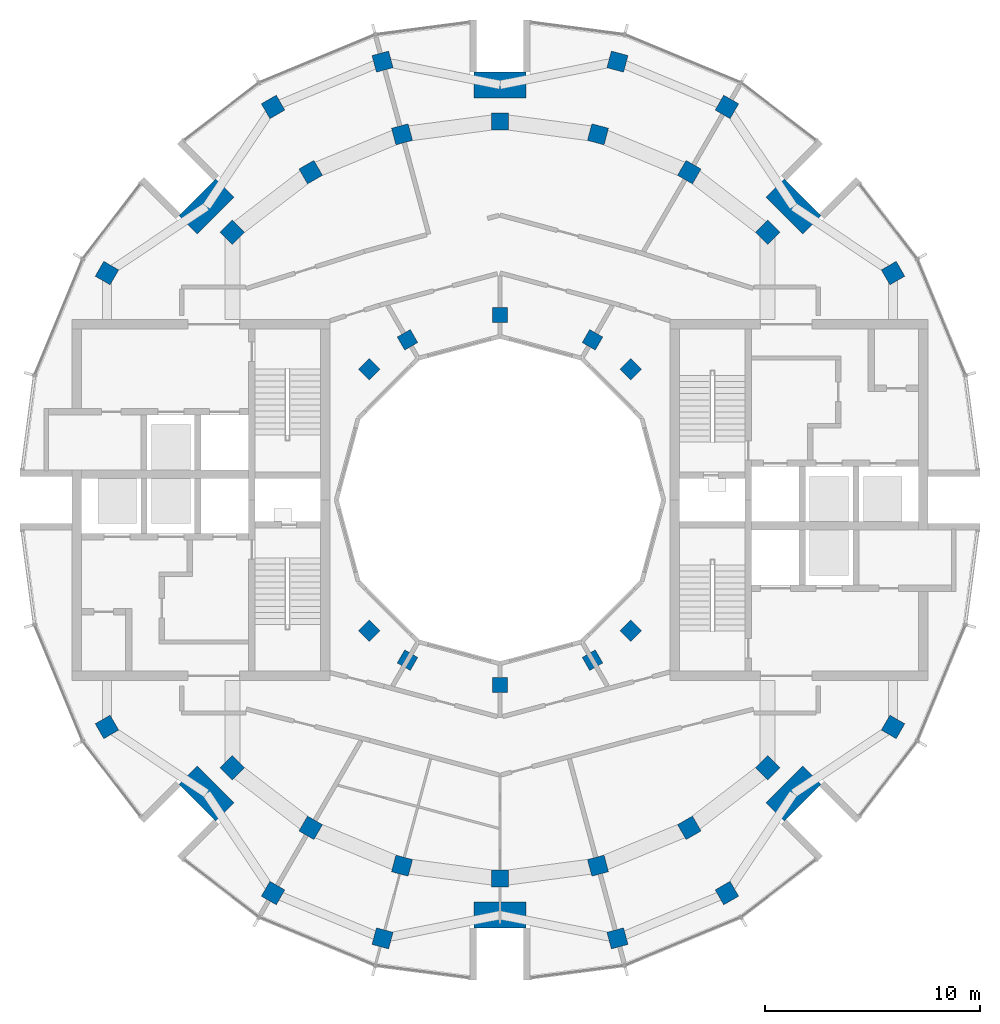
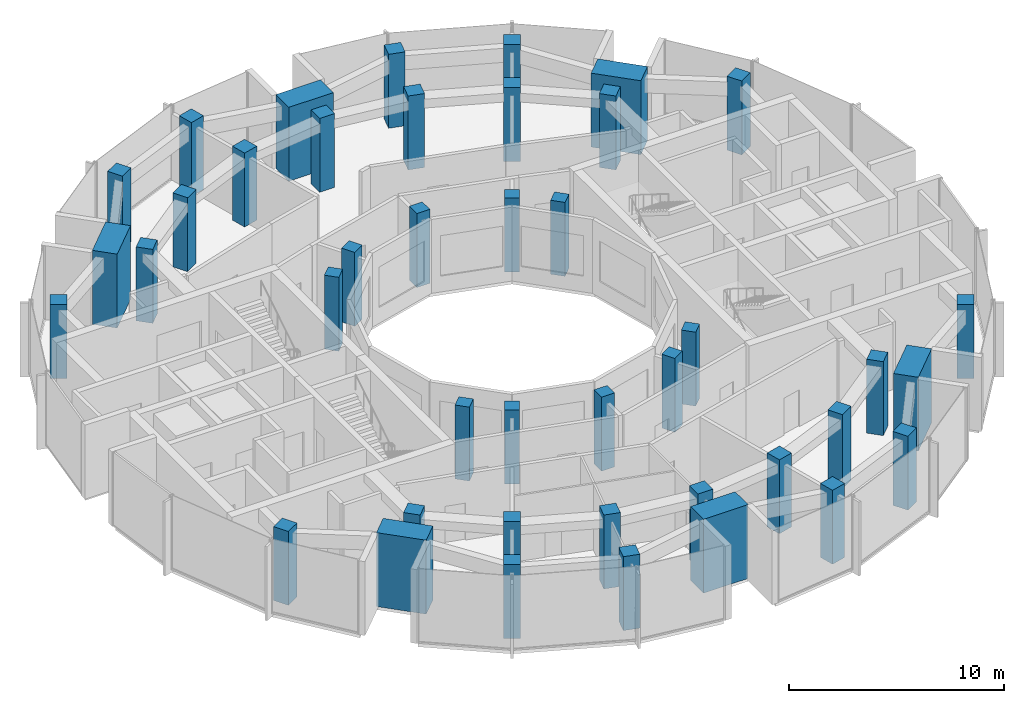
# One storey, part 1 of 13: 42 columns.
"""IFC4 building model written with IfcOpenShell, lengths in metres."""

from ifc_helpers import new_model, si_unit, direction, frame, origin, origin_2d, place, context, subcontext, project, spatial, rectangle, extrude, material, material_profile, profile_set, type_object, element, save


model = new_model("IFC4")

# Units and contexts
model_context = context("Model", 3, precision=1e-05, world=origin(), true_north=direction((0.0, 1.0)))
body_context = subcontext(model_context, "Body", "Model", "MODEL_VIEW")
ifc_project = project(units=[si_unit("LENGTHUNIT", "METRE"), si_unit("AREAUNIT", "SQUARE_METRE"), si_unit("VOLUMEUNIT", "CUBIC_METRE"), si_unit("PLANEANGLEUNIT", "RADIAN"), si_unit("MASSUNIT", "GRAM", prefix="KILO")], contexts=[model_context])

# Site, building, storey
site_placement = place(None, origin())
site = spatial("IfcSite", under=ifc_project, at=site_placement, CompositionType="ELEMENT")
building_placement = place(site_placement, origin())
building = spatial("IfcBuilding", under=site, at=building_placement, Name="Torre Brocal", CompositionType="ELEMENT")
storey_placement = place(building_placement, frame((0.0, 0.0, 296.699951171875)))
storey = spatial("IfcBuildingStorey", under=building, at=storey_placement, Name="L68", CompositionType="ELEMENT", Elevation=296.699951171875)

# Columns
ifc_material_1 = material(Name="Concrete C50", Category="concrete")
ifc_material_profile_1 = material_profile(ifc_material_1, rectangle(XDim=1.199951171875, YDim=2.39990234375, at=origin_2d()), Name="RC 1200X2400")
ifc_profile_set_1 = profile_set([ifc_material_profile_1], Name="Concrete C50")
column_type_1 = type_object("IfcColumnType", Name="RC COLUMN 1200X2400 C50", PredefinedType="COLUMN", material=ifc_profile_set_1)
for number, where, z_axis, x_axis, name in (
    (1, (93.647216796875, 88.647216796875, 0.0), (0.0, 0.0, 1.0), (0.707106781187, 0.707106781187, 0.0), "Column MCB-1"),
    (2, (80.0, 94.300048828125, 0.0), (0.0, 0.0, 1.0), (0.0, 1.0, 0.0), "Column MCB-2"),
    (3, (66.352783203125, 88.647216796875, 0.0), (0.0, 0.0, 1.0), (-0.707106781187, 0.707106781187, 0.0), "Column MCB-3"),
    (4, (66.352783203125, 61.352783203125, 0.0), (0.0, 0.0, 1.0), (-0.707106781187, -0.707106781187, 0.0), "Column MCB-5"),
    (5, (80.0, 55.699951171875, 0.0), (0.0, 0.0, 1.0), (0.0, -1.0, 0.0), "Column MCB-6"),
    (6, (93.647216796875, 61.352783203125, 0.0), (0.0, 0.0, 1.0), (0.707106781187, -0.707106781187, 0.0), "Column MCB-7"),
):
    element("IfcColumn", number, at=place(storey_placement, frame(where, z_axis=z_axis, x_axis=x_axis)), inside=storey, type_object=column_type_1, Name=name, PredefinedType="COLUMN", context=body_context, shape_type="SweptSolid", body=[
        extrude(rectangle(XDim=1.199951171875, YDim=2.39990234375, at=origin_2d()), origin(), (0.0, 0.0, 1.0), 4.199951171875),
    ])
ifc_material_2 = material(Name="Concrete C50", Category="concrete")
ifc_material_profile_2 = material_profile(ifc_material_2, rectangle(XDim=0.699951171875, YDim=0.699951171875, at=origin_2d()), Name="RC 700X700")
ifc_profile_set_2 = profile_set([ifc_material_profile_2], Name="Concrete C50")
column_type_2 = type_object("IfcColumnType", Name="RC COLUMN 700X700 C50", PredefinedType="COLUMN", material=ifc_profile_set_2)
for number, where, z_axis, x_axis, name in (
    (7, (86.0810546875, 81.0810546875, 0.0), (0.0, 0.0, 1.0), (0.707106781187, 0.707106781187, 0.0), "Column C-I03"),
    (8, (84.300048828125, 82.44775390625, 0.0), (0.0, 0.0, 1.0), (0.5, 0.866025403784, 0.0), "Column C-I04"),
    (9, (80.0, 83.60009765625, 0.0), (0.0, 0.0, 1.0), (0.0, 1.0, 0.0), "Column C-I06"),
    (10, (75.699951171875, 82.44775390625, 0.0), (0.0, 0.0, 1.0), (-0.5, 0.866025403784, 0.0), "Column C-I08"),
    (11, (73.9189453125, 81.0810546875, 0.0), (0.0, 0.0, 1.0), (-0.707106781187, 0.707106781187, 0.0), "Column C-I09"),
    (12, (73.9189453125, 68.9189453125, 0.0), (0.0, 0.0, 1.0), (-0.707106781187, -0.707106781187, 0.0), "Column C-I15"),
    (13, (75.699951171875, 67.55224609375, 0.0), (0.0, 0.0, 1.0), (-0.5, -0.866025403784, 0.0), "Column C-I16"),
    (14, (80.0, 66.39990234375, 0.0), (0.0, 0.0, 1.0), (0.0, -1.0, 0.0), "Column C-I18"),
    (15, (84.300048828125, 67.55224609375, 0.0), (0.0, 0.0, 1.0), (0.5, -0.866025403784, 0.0), "Column C-I20"),
    (16, (86.0810546875, 68.9189453125, 0.0), (0.0, 0.0, 1.0), (0.707106781187, -0.707106781187, 0.0), "Column C-I21"),
):
    element("IfcColumn", number, at=place(storey_placement, frame(where, z_axis=z_axis, x_axis=x_axis)), inside=storey, type_object=column_type_2, Name=name, PredefinedType="COLUMN", context=body_context, shape_type="SweptSolid", body=[
        extrude(rectangle(XDim=0.699951171875, YDim=0.699951171875, at=origin_2d()), origin(), (0.0, 0.0, 1.0), 4.199951171875),
    ])
ifc_material_3 = material(Name="Concrete C50", Category="concrete")
ifc_material_profile_3 = material_profile(ifc_material_3, rectangle(XDim=0.800048828125, YDim=0.800048828125, at=origin_2d()), Name="RC 800X800")
ifc_profile_set_3 = profile_set([ifc_material_profile_3], Name="Concrete C50")
column_type_3 = type_object("IfcColumnType", Name="RC COLUMN 800X800 C50", PredefinedType="COLUMN", material=ifc_profile_set_3)
for number, where, z_axis, x_axis, name in (
    (17, (98.273193359375, 85.550048828125, 0.0), (0.0, 0.0, 1.0), (0.866025403784, 0.5, 0.0), "Column C-OB02"),
    (18, (90.550048828125, 93.273193359375, 0.0), (0.0, 0.0, 1.0), (0.5, 0.866025403784, 0.0), "Column C-OB04"),
    (19, (85.461181640625, 95.381103515625, 0.0), (0.0, 0.0, 1.0), (0.258819045103, 0.965925826289, 0.0), "Column C-OB05"),
    (20, (74.538818359375, 95.381103515625, 0.0), (0.0, 0.0, 1.0), (-0.258819045103, 0.965925826289, 0.0), "Column C-OB07"),
    (21, (69.449951171875, 93.273193359375, 0.0), (0.0, 0.0, 1.0), (-0.5, 0.866025403784, 0.0), "Column C-OB08"),
    (22, (61.726806640625, 85.550048828125, 0.0), (0.0, 0.0, 1.0), (-0.866025403784, 0.5, 0.0), "Column C-OB10"),
    (23, (61.726806640625, 64.449951171875, 0.0), (0.0, 0.0, 1.0), (-0.866025403784, -0.5, 0.0), "Column C-OB14"),
    (24, (69.449951171875, 56.726806640625, 0.0), (0.0, 0.0, 1.0), (-0.5, -0.866025403784, 0.0), "Column C-OB16"),
    (25, (74.538818359375, 54.618896484375, 0.0), (0.0, 0.0, 1.0), (-0.258819045103, -0.965925826289, 0.0), "Column C-OB17"),
    (26, (85.461181640625, 54.618896484375, 0.0), (0.0, 0.0, 1.0), (0.258819045103, -0.965925826289, 0.0), "Column C-OB19"),
    (27, (90.550048828125, 56.726806640625, 0.0), (0.0, 0.0, 1.0), (0.5, -0.866025403784, 0.0), "Column C-OB20"),
    (28, (98.273193359375, 64.449951171875, 0.0), (0.0, 0.0, 1.0), (0.866025403784, -0.5, 0.0), "Column C-OB22"),
    (29, (92.445068359375, 87.445068359375, 0.0), (0.0, 0.0, 1.0), (0.707106781187, 0.707106781187, 0.0), "Column C-M03"),
    (30, (88.800048828125, 90.241943359375, 0.0), (0.0, 0.0, 1.0), (0.5, 0.866025403784, 0.0), "Column C-M04"),
    (31, (84.55517578125, 92.000244140625, 0.0), (0.0, 0.0, 1.0), (0.258819045103, 0.965925826289, 0.0), "Column C-M05"),
    (32, (80.0, 92.60009765625, 0.0), (0.0, 0.0, 1.0), (0.0, 1.0, 0.0), "Column C-M06"),
    (33, (75.44482421875, 92.000244140625, 0.0), (0.0, 0.0, 1.0), (-0.258819045103, 0.965925826289, 0.0), "Column C-M07"),
    (34, (71.199951171875, 90.241943359375, 0.0), (0.0, 0.0, 1.0), (-0.5, 0.866025403784, 0.0), "Column C-M08"),
    (35, (67.554931640625, 87.445068359375, 0.0), (0.0, 0.0, 1.0), (-0.707106781187, 0.707106781187, 0.0), "Column C-M09"),
    (36, (67.554931640625, 62.554931640625, 0.0), (0.0, 0.0, 1.0), (-0.707106781187, -0.707106781187, 0.0), "Column C-M15"),
    (37, (71.199951171875, 59.758056640625, 0.0), (0.0, 0.0, 1.0), (-0.5, -0.866025403784, 0.0), "Column C-M16"),
    (38, (75.44482421875, 57.999755859375, 0.0), (0.0, 0.0, 1.0), (-0.258819045103, -0.965925826289, 0.0), "Column C-M17"),
    (39, (80.0, 57.39990234375, 0.0), (0.0, 0.0, 1.0), (0.0, -1.0, 0.0), "Column C-M18"),
    (40, (84.55517578125, 57.999755859375, 0.0), (0.0, 0.0, 1.0), (0.258819045103, -0.965925826289, 0.0), "Column C-M19"),
    (41, (88.800048828125, 59.758056640625, 0.0), (0.0, 0.0, 1.0), (0.5, -0.866025403784, 0.0), "Column C-M20"),
    (42, (92.445068359375, 62.554931640625, 0.0), (0.0, 0.0, 1.0), (0.707106781187, -0.707106781187, 0.0), "Column C-M21"),
):
    element("IfcColumn", number, at=place(storey_placement, frame(where, z_axis=z_axis, x_axis=x_axis)), inside=storey, type_object=column_type_3, Name=name, PredefinedType="COLUMN", context=body_context, shape_type="SweptSolid", body=[
        extrude(rectangle(XDim=0.800048828125, YDim=0.800048828125, at=origin_2d()), origin(), (0.0, 0.0, 1.0), 4.199951171875),
    ])

save(model, "model.ifc")
